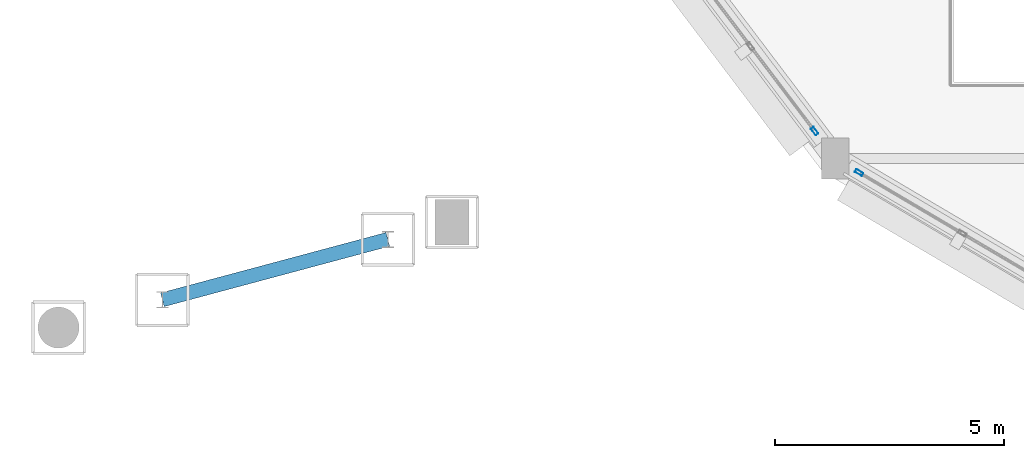
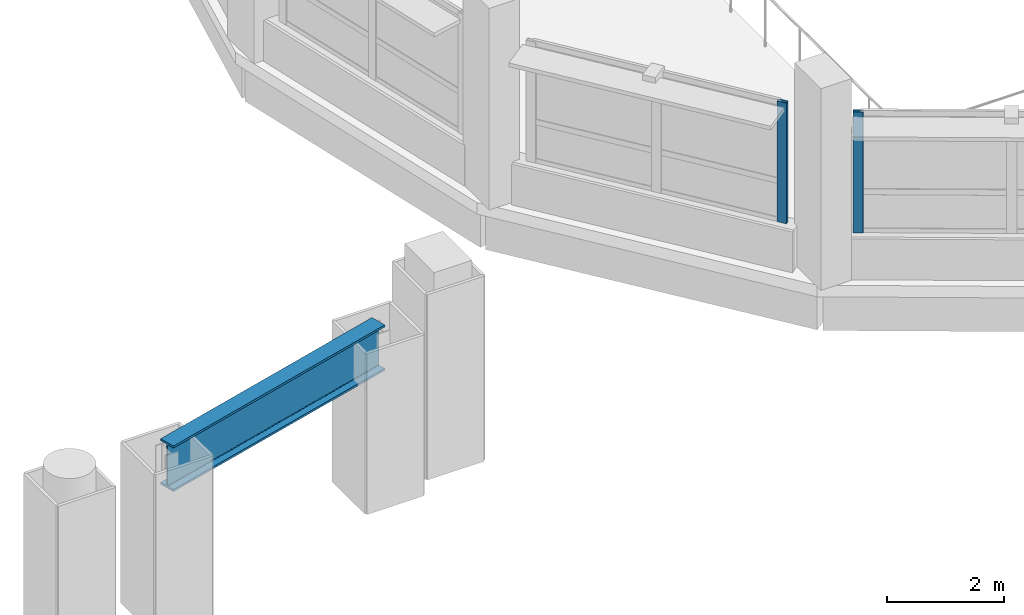
# One storey, part 61 of 128: 2 members, 1 beam, 2 elements without a shape of their own.
"""IFC4 building model written with IfcOpenShell, lengths in metres."""

from ifc_helpers import new_model, si_unit, direction, frame, origin, origin_2d, place, context, subcontext, project, spatial, hollow_rectangle, i_section, extrude, material, layer, layer_set, material_profile, profile_set, type_object, element, aggregate, save


model = new_model("IFC4")

# Units and contexts
model_context = context("Model", 3, precision=1e-05, world=origin(), true_north=direction((0.0, 1.0)))
body_context = subcontext(model_context, "Body", "Model", "MODEL_VIEW")
ifc_project = project(units=[si_unit("LENGTHUNIT", "METRE"), si_unit("AREAUNIT", "SQUARE_METRE"), si_unit("VOLUMEUNIT", "CUBIC_METRE"), si_unit("PLANEANGLEUNIT", "RADIAN"), si_unit("MASSUNIT", "GRAM", prefix="KILO")], contexts=[model_context])

# Site, building, storey
site_placement = place(None, origin())
site = spatial("IfcSite", under=ifc_project, at=site_placement, CompositionType="ELEMENT")
building_placement = place(site_placement, origin())
building = spatial("IfcBuilding", under=site, at=building_placement, Name="Vespera Passage Community Centre", CompositionType="ELEMENT")
storey_placement = place(building_placement, frame((0.0, 0.0, 4.5)))
storey = spatial("IfcBuildingStorey", under=building, at=storey_placement, Name="L01", CompositionType="ELEMENT", Elevation=4.5)

# Curtain wall, member
ifc_material_1 = material(Name="Anodized aluminium 6063-T6", Category="aluminium")
ifc_layer_1 = layer(ifc_material_1, 0.159912109375)
ifc_layer_set_1 = layer_set([ifc_layer_1], Name="Anodized aluminium 6063-T6")
curtain_wall_type_1 = type_object("IfcCurtainWallType", Name="CW-96E", PredefinedType="NOTDEFINED", material=ifc_layer_set_1)
curtain_wall_1_placement = place(storey_placement, origin())
curtain_wall_1 = element("IfcCurtainWall", 1, at=curtain_wall_1_placement, inside=storey, type_object=curtain_wall_type_1, Name="Sports Drum Ribbon Curtain Wall L01.10", PredefinedType="NOTDEFINED")
ifc_material_2 = material(Name="Anodized aluminium 6063-T6", Category="aluminium")
ifc_material_profile_1 = material_profile(ifc_material_2, hollow_rectangle(XDim=0.074951171875, YDim=0.179931640625, WallThickness=0.0048828125, InnerFilletRadius=0.00244140625, OuterFilletRadius=0.0048828125, at=origin_2d()), Name="ALU180X75X5")
ifc_profile_set_1 = profile_set([ifc_material_profile_1], Name="Anodized aluminium 6063-T6")
member_type = type_object("IfcMemberType", Name="MB-CWM-180E", PredefinedType="MULLION", material=ifc_profile_set_1)
member_1_placement = place(storey_placement, frame((130.4560546875, 79.42041015625, 0.85009765625), z_axis=(0.0, 0.0, 1.0), x_axis=(-0.797434495654, -0.603405522961, 0.0)))
member_1 = element("IfcMember", 2, at=member_1_placement, type_object=member_type, Name="CW-96E mullion 1", PredefinedType="MULLION", context=body_context, shape_type="SweptSolid", body=[
    extrude(hollow_rectangle(XDim=0.074951171875, YDim=0.179931640625, WallThickness=0.0048828125, InnerFilletRadius=0.00244140625, OuterFilletRadius=0.0048828125, at=origin_2d()), origin(), (0.0, 0.0, 1.0), 2.514892578125),
])
aggregate(curtain_wall_1, [member_1])

ifc_material_3 = material(Name="Anodized aluminium 6063-T6", Category="aluminium")
ifc_layer_2 = layer(ifc_material_3, 0.159912109375)
ifc_layer_set_2 = layer_set([ifc_layer_2], Name="Anodized aluminium 6063-T6")
curtain_wall_type_2 = type_object("IfcCurtainWallType", Name="CW-94E", PredefinedType="NOTDEFINED", material=ifc_layer_set_2)
curtain_wall_2_placement = place(storey_placement, origin())
curtain_wall_2 = element("IfcCurtainWall", 3, at=curtain_wall_2_placement, inside=storey, type_object=curtain_wall_type_2, Name="Sports Drum Ribbon Curtain Wall L01.11", PredefinedType="NOTDEFINED")
member_2_placement = place(storey_placement, frame((131.426025390625, 78.517333984375, 0.85009765625), z_axis=(0.0, 0.0, 1.0), x_axis=(-0.50817007737, -0.861256740157, 0.0)))
member_2 = element("IfcMember", 4, at=member_2_placement, type_object=member_type, Name="CW-94E mullion 3", PredefinedType="MULLION", context=body_context, shape_type="SweptSolid", body=[
    extrude(hollow_rectangle(XDim=0.074951171875, YDim=0.179931640625, WallThickness=0.0048828125, InnerFilletRadius=0.00244140625, OuterFilletRadius=0.0048828125, at=origin_2d()), origin(), (0.0, 0.0, 1.0), 2.514892578125),
])
aggregate(curtain_wall_2, [member_2])

# Beam
ifc_material_4 = material(Name="Steel ASTM A992 Grade 50", Category="steel")
ifc_material_profile_2 = material_profile(ifc_material_4, i_section(OverallWidth=0.310302734375, OverallDepth=0.950439453125, WebThickness=0.0244140625, FlangeThickness=0.0439453125, FilletRadius=0.024169921875, at=origin_2d()), Name="W36X256")
ifc_profile_set_2 = profile_set([ifc_material_profile_2], Name="Steel ASTM A992 Grade 50")
beam_type = type_object("IfcBeamType", Name="TG-256", PredefinedType="USERDEFINED", material=ifc_profile_set_2)
beam_placement = place(storey_placement, frame((121.128662109375, 77.056396484375, 3.0), z_axis=(-0.965921982275, -0.258833390731, 0.0), x_axis=(0.258833390731, -0.965921982275, 0.0)))
element("IfcBeam", 5, at=beam_placement, inside=storey, type_object=beam_type, Name="Pylon Truss Anchor Cap Girder 1", ObjectType="TRANSFER GIRDER", PredefinedType="USERDEFINED", context=body_context, shape_type="SweptSolid", body=[
    extrude(i_section(OverallWidth=0.310302734375, OverallDepth=0.950439453125, WebThickness=0.0244140625, FlangeThickness=0.0439453125, FilletRadius=0.024169921875, at=origin_2d()), origin(), (0.0, 0.0, 1.0), 5.10009765625),
])

save(model, "model.ifc")
